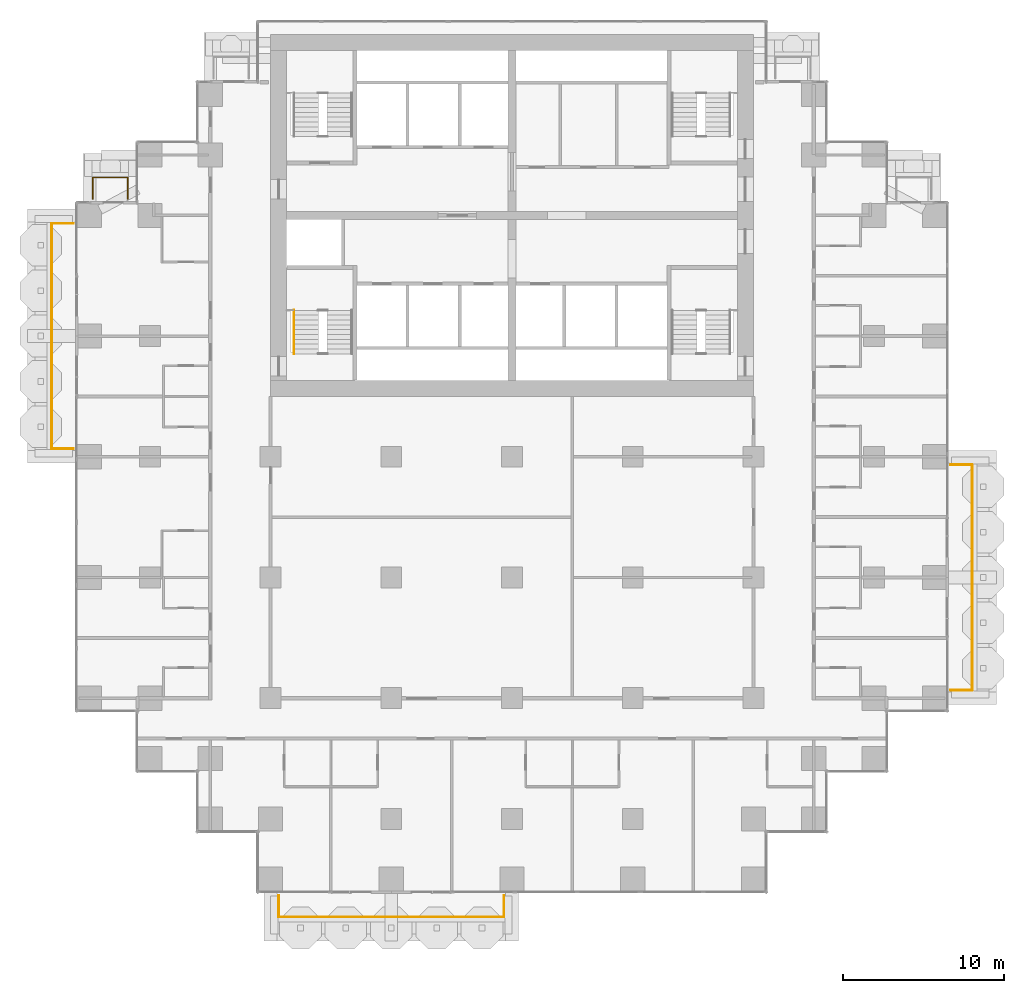
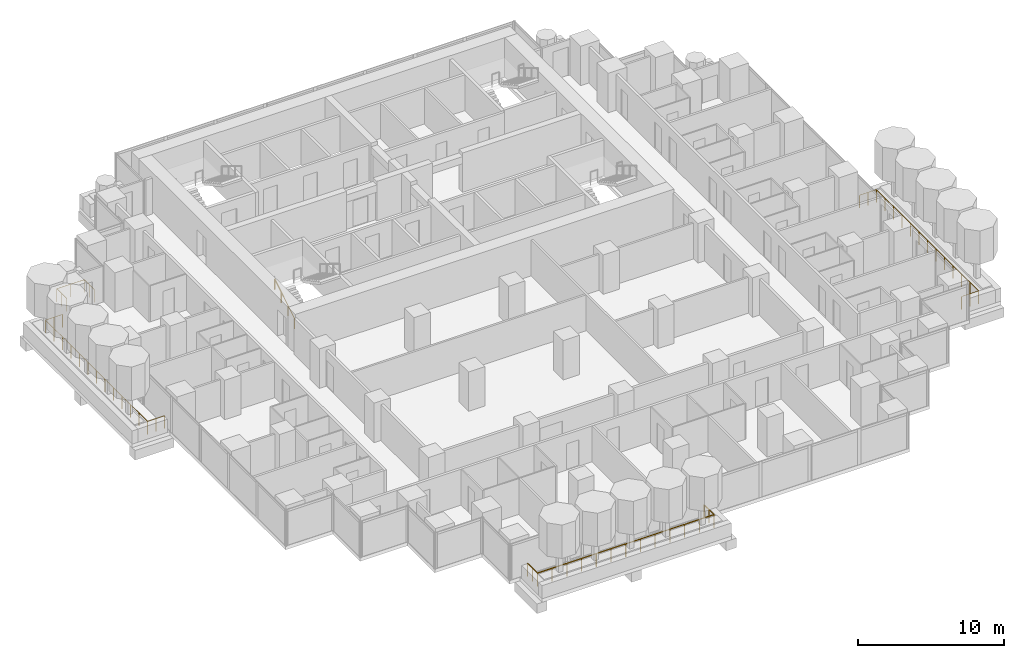
# One storey, part 16 of 18: 5 railings.
"""IFC4 building model written with IfcOpenShell, lengths in metres."""

from ifc_helpers import new_model, si_unit, direction, frame, origin, origin_2d, place, context, subcontext, project, spatial, circle, extrude, material, type_object, element, save


model = new_model("IFC4")

# Units and contexts
model_context = context("Model", 3, precision=1e-05, world=origin(), true_north=direction((0.0, 1.0)))
body_context = subcontext(model_context, "Body", "Model", "MODEL_VIEW")
ifc_project = project(units=[si_unit("LENGTHUNIT", "METRE"), si_unit("AREAUNIT", "SQUARE_METRE"), si_unit("VOLUMEUNIT", "CUBIC_METRE"), si_unit("PLANEANGLEUNIT", "RADIAN"), si_unit("MASSUNIT", "GRAM", prefix="KILO")], contexts=[model_context])

# Site, building, storey
site_placement = place(None, origin())
site = spatial("IfcSite", under=ifc_project, at=site_placement, CompositionType="ELEMENT")
building_placement = place(site_placement, origin())
building = spatial("IfcBuilding", under=site, at=building_placement, Name="Pilkhan Gate Tower", CompositionType="ELEMENT")
storey_placement = place(building_placement, frame((0.0, 0.0, 82.39990234375)))
storey = spatial("IfcBuildingStorey", under=building, at=storey_placement, Name="L19", CompositionType="ELEMENT", Elevation=82.39990234375)

# Railings
ifc_material_1 = material(Name="Pale anodised aluminium posts, laminated glass infill", Category="aluminium")
railing_type_1 = type_object("IfcRailingType", Name="Balcony guard G1", PredefinedType="BALUSTRADE", material=ifc_material_1)
railing_1_placement = place(storey_placement, frame((60.5, 40.25, 0.0)))
element("IfcRailing", 1, at=railing_1_placement, inside=storey, type_object=railing_type_1, Name="Balcony guard L19 S", PredefinedType="BALUSTRADE", context=body_context, shape_type="SweptSolid", body=[
    extrude(circle(Radius=0.02392578125, at=origin_2d()), frame((0.0, 0.0, 1.076171875), z_axis=(0.0, -1.0, 0.0), x_axis=(1.0, 0.0, 0.0)), (0.0, 0.0, 1.0), 1.35009765625),
    extrude(circle(Radius=0.02392578125, at=origin_2d()), frame((0.0, -1.35009765625, 1.076171875), z_axis=(1.0, 0.0, 0.0), x_axis=(0.0, 1.0, 0.0)), (0.0, 0.0, 1.0), 14.0),
    extrude(circle(Radius=0.02392578125, at=origin_2d()), frame((14.0, -1.35009765625, 1.076171875), z_axis=(0.0, 1.0, 0.0), x_axis=(-1.0, 0.0, 0.0)), (0.0, 0.0, 1.0), 1.35009765625),
    extrude(circle(Radius=0.02099609375, at=origin_2d()), origin(), (0.0, 0.0, 1.0), 1.052001953125),
    extrude(circle(Radius=0.02099609375, at=origin_2d()), frame((0.0, -0.675048828125, 0.0)), (0.0, 0.0, 1.0), 1.052001953125),
    extrude(circle(Radius=0.02099609375, at=origin_2d()), frame((0.0, -1.35009765625, 0.0)), (0.0, 0.0, 1.0), 1.052001953125),
    extrude(circle(Radius=0.02099609375, at=origin_2d()), frame((1.166748046875, -1.35009765625, 0.0)), (0.0, 0.0, 1.0), 1.052001953125),
    extrude(circle(Radius=0.02099609375, at=origin_2d()), frame((2.333251953125, -1.35009765625, 0.0)), (0.0, 0.0, 1.0), 1.052001953125),
    extrude(circle(Radius=0.02099609375, at=origin_2d()), frame((3.5, -1.35009765625, 0.0)), (0.0, 0.0, 1.0), 1.052001953125),
    extrude(circle(Radius=0.02099609375, at=origin_2d()), frame((4.666748046875, -1.35009765625, 0.0)), (0.0, 0.0, 1.0), 1.052001953125),
    extrude(circle(Radius=0.02099609375, at=origin_2d()), frame((5.833251953125, -1.35009765625, 0.0)), (0.0, 0.0, 1.0), 1.052001953125),
    extrude(circle(Radius=0.02099609375, at=origin_2d()), frame((7.0, -1.35009765625, 0.0)), (0.0, 0.0, 1.0), 1.052001953125),
    extrude(circle(Radius=0.02099609375, at=origin_2d()), frame((8.166748046875, -1.35009765625, 0.0)), (0.0, 0.0, 1.0), 1.052001953125),
    extrude(circle(Radius=0.02099609375, at=origin_2d()), frame((9.333251953125, -1.35009765625, 0.0)), (0.0, 0.0, 1.0), 1.052001953125),
    extrude(circle(Radius=0.02099609375, at=origin_2d()), frame((10.5, -1.35009765625, 0.0)), (0.0, 0.0, 1.0), 1.052001953125),
    extrude(circle(Radius=0.02099609375, at=origin_2d()), frame((11.666748046875, -1.35009765625, 0.0)), (0.0, 0.0, 1.0), 1.052001953125),
    extrude(circle(Radius=0.02099609375, at=origin_2d()), frame((12.833251953125, -1.35009765625, 0.0)), (0.0, 0.0, 1.0), 1.052001953125),
    extrude(circle(Radius=0.02099609375, at=origin_2d()), frame((14.0, -1.35009765625, 0.0)), (0.0, 0.0, 1.0), 1.052001953125),
    extrude(circle(Radius=0.02099609375, at=origin_2d()), frame((14.0, -0.675048828125, 0.0)), (0.0, 0.0, 1.0), 1.052001953125),
    extrude(circle(Radius=0.02099609375, at=origin_2d()), frame((14.0, 0.0, 0.0)), (0.0, 0.0, 1.0), 1.052001953125),
])
railing_2_placement = place(storey_placement, frame((102.25, 53.0, 0.0)))
element("IfcRailing", 2, at=railing_2_placement, inside=storey, type_object=railing_type_1, Name="Balcony guard L19 E", PredefinedType="BALUSTRADE", context=body_context, shape_type="SweptSolid", body=[
    extrude(circle(Radius=0.02392578125, at=origin_2d()), frame((0.0, 0.0, 1.076171875), z_axis=(1.0, 0.0, 0.0), x_axis=(0.0, 1.0, 0.0)), (0.0, 0.0, 1.0), 1.35009765625),
    extrude(circle(Radius=0.02392578125, at=origin_2d()), frame((1.35009765625, 0.0, 1.076171875), z_axis=(0.0, 1.0, 0.0), x_axis=(-1.0, 0.0, 0.0)), (0.0, 0.0, 1.0), 14.0),
    extrude(circle(Radius=0.02392578125, at=origin_2d()), frame((1.35009765625, 14.0, 1.076171875), z_axis=(-1.0, 0.0, 0.0), x_axis=(0.0, -1.0, 0.0)), (0.0, 0.0, 1.0), 1.35009765625),
    extrude(circle(Radius=0.02099609375, at=origin_2d()), origin(), (0.0, 0.0, 1.0), 1.052001953125),
    extrude(circle(Radius=0.02099609375, at=origin_2d()), frame((0.675048828125, 0.0, 0.0)), (0.0, 0.0, 1.0), 1.052001953125),
    extrude(circle(Radius=0.02099609375, at=origin_2d()), frame((1.35009765625, 0.0, 0.0)), (0.0, 0.0, 1.0), 1.052001953125),
    extrude(circle(Radius=0.02099609375, at=origin_2d()), frame((1.35009765625, 1.166748046875, 0.0)), (0.0, 0.0, 1.0), 1.052001953125),
    extrude(circle(Radius=0.02099609375, at=origin_2d()), frame((1.35009765625, 2.333251953125, 0.0)), (0.0, 0.0, 1.0), 1.052001953125),
    extrude(circle(Radius=0.02099609375, at=origin_2d()), frame((1.35009765625, 3.5, 0.0)), (0.0, 0.0, 1.0), 1.052001953125),
    extrude(circle(Radius=0.02099609375, at=origin_2d()), frame((1.35009765625, 4.666748046875, 0.0)), (0.0, 0.0, 1.0), 1.052001953125),
    extrude(circle(Radius=0.02099609375, at=origin_2d()), frame((1.35009765625, 5.833251953125, 0.0)), (0.0, 0.0, 1.0), 1.052001953125),
    extrude(circle(Radius=0.02099609375, at=origin_2d()), frame((1.35009765625, 7.0, 0.0)), (0.0, 0.0, 1.0), 1.052001953125),
    extrude(circle(Radius=0.02099609375, at=origin_2d()), frame((1.35009765625, 8.166748046875, 0.0)), (0.0, 0.0, 1.0), 1.052001953125),
    extrude(circle(Radius=0.02099609375, at=origin_2d()), frame((1.35009765625, 9.333251953125, 0.0)), (0.0, 0.0, 1.0), 1.052001953125),
    extrude(circle(Radius=0.02099609375, at=origin_2d()), frame((1.35009765625, 10.5, 0.0)), (0.0, 0.0, 1.0), 1.052001953125),
    extrude(circle(Radius=0.02099609375, at=origin_2d()), frame((1.35009765625, 11.666748046875, 0.0)), (0.0, 0.0, 1.0), 1.052001953125),
    extrude(circle(Radius=0.02099609375, at=origin_2d()), frame((1.35009765625, 12.833251953125, 0.0)), (0.0, 0.0, 1.0), 1.052001953125),
    extrude(circle(Radius=0.02099609375, at=origin_2d()), frame((1.35009765625, 14.0, 0.0)), (0.0, 0.0, 1.0), 1.052001953125),
    extrude(circle(Radius=0.02099609375, at=origin_2d()), frame((0.675048828125, 14.0, 0.0)), (0.0, 0.0, 1.0), 1.052001953125),
    extrude(circle(Radius=0.02099609375, at=origin_2d()), frame((0.0, 14.0, 0.0)), (0.0, 0.0, 1.0), 1.052001953125),
])
railing_3_placement = place(storey_placement, frame((48.949951171875, 83.52001953125, 0.0)))
element("IfcRailing", 3, at=railing_3_placement, inside=storey, type_object=railing_type_1, Name="Balcony guard L19 N", PredefinedType="BALUSTRADE", context=body_context, shape_type="SweptSolid", body=[
    extrude(circle(Radius=0.02392578125, at=origin_2d()), frame((0.0, 0.0, 1.076171875), z_axis=(0.0, 1.0, 0.0), x_axis=(-1.0, 0.0, 0.0)), (0.0, 0.0, 1.0), 1.330078125),
    extrude(circle(Radius=0.02392578125, at=origin_2d()), frame((0.0, 1.330078125, 1.076171875), z_axis=(1.0, 0.0, 0.0), x_axis=(0.0, 1.0, 0.0)), (0.0, 0.0, 1.0), 2.179931640625),
    extrude(circle(Radius=0.02392578125, at=origin_2d()), frame((2.179931640625, 1.330078125, 1.076171875), z_axis=(0.0, -1.0, 0.0), x_axis=(1.0, 0.0, 0.0)), (0.0, 0.0, 1.0), 1.330078125),
    extrude(circle(Radius=0.02099609375, at=origin_2d()), origin(), (0.0, 0.0, 1.0), 1.052001953125),
    extrude(circle(Radius=0.02099609375, at=origin_2d()), frame((0.0, 0.6650390625, 0.0)), (0.0, 0.0, 1.0), 1.052001953125),
    extrude(circle(Radius=0.02099609375, at=origin_2d()), frame((0.0, 1.330078125, 0.0)), (0.0, 0.0, 1.0), 1.052001953125),
    extrude(circle(Radius=0.02099609375, at=origin_2d()), frame((1.08984375, 1.330078125, 0.0)), (0.0, 0.0, 1.0), 1.052001953125),
    extrude(circle(Radius=0.02099609375, at=origin_2d()), frame((2.179931640625, 1.330078125, 0.0)), (0.0, 0.0, 1.0), 1.052001953125),
    extrude(circle(Radius=0.02099609375, at=origin_2d()), frame((2.179931640625, 0.6650390625, 0.0)), (0.0, 0.0, 1.0), 1.052001953125),
    extrude(circle(Radius=0.02099609375, at=origin_2d()), frame((2.179931640625, 0.0, 0.0)), (0.0, 0.0, 1.0), 1.052001953125),
])
railing_4_placement = place(storey_placement, frame((47.75, 68.0, 0.0)))
element("IfcRailing", 4, at=railing_4_placement, inside=storey, type_object=railing_type_1, Name="Balcony guard L19 W", PredefinedType="BALUSTRADE", context=body_context, shape_type="SweptSolid", body=[
    extrude(circle(Radius=0.02392578125, at=origin_2d()), frame((0.0, 0.0, 1.076171875), z_axis=(-1.0, 0.0, 0.0), x_axis=(0.0, -1.0, 0.0)), (0.0, 0.0, 1.0), 1.35009765625),
    extrude(circle(Radius=0.02392578125, at=origin_2d()), frame((-1.35009765625, 0.0, 1.076171875), z_axis=(0.0, 1.0, 0.0), x_axis=(-1.0, 0.0, 0.0)), (0.0, 0.0, 1.0), 14.0),
    extrude(circle(Radius=0.02392578125, at=origin_2d()), frame((-1.35009765625, 14.0, 1.076171875), z_axis=(1.0, 0.0, 0.0), x_axis=(0.0, 1.0, 0.0)), (0.0, 0.0, 1.0), 1.35009765625),
    extrude(circle(Radius=0.02099609375, at=origin_2d()), origin(), (0.0, 0.0, 1.0), 1.052001953125),
    extrude(circle(Radius=0.02099609375, at=origin_2d()), frame((-0.675048828125, 0.0, 0.0)), (0.0, 0.0, 1.0), 1.052001953125),
    extrude(circle(Radius=0.02099609375, at=origin_2d()), frame((-1.35009765625, 0.0, 0.0)), (0.0, 0.0, 1.0), 1.052001953125),
    extrude(circle(Radius=0.02099609375, at=origin_2d()), frame((-1.35009765625, 1.166748046875, 0.0)), (0.0, 0.0, 1.0), 1.052001953125),
    extrude(circle(Radius=0.02099609375, at=origin_2d()), frame((-1.35009765625, 2.333251953125, 0.0)), (0.0, 0.0, 1.0), 1.052001953125),
    extrude(circle(Radius=0.02099609375, at=origin_2d()), frame((-1.35009765625, 3.5, 0.0)), (0.0, 0.0, 1.0), 1.052001953125),
    extrude(circle(Radius=0.02099609375, at=origin_2d()), frame((-1.35009765625, 4.666748046875, 0.0)), (0.0, 0.0, 1.0), 1.052001953125),
    extrude(circle(Radius=0.02099609375, at=origin_2d()), frame((-1.35009765625, 5.833251953125, 0.0)), (0.0, 0.0, 1.0), 1.052001953125),
    extrude(circle(Radius=0.02099609375, at=origin_2d()), frame((-1.35009765625, 7.0, 0.0)), (0.0, 0.0, 1.0), 1.052001953125),
    extrude(circle(Radius=0.02099609375, at=origin_2d()), frame((-1.35009765625, 8.166748046875, 0.0)), (0.0, 0.0, 1.0), 1.052001953125),
    extrude(circle(Radius=0.02099609375, at=origin_2d()), frame((-1.35009765625, 9.333251953125, 0.0)), (0.0, 0.0, 1.0), 1.052001953125),
    extrude(circle(Radius=0.02099609375, at=origin_2d()), frame((-1.35009765625, 10.5, 0.0)), (0.0, 0.0, 1.0), 1.052001953125),
    extrude(circle(Radius=0.02099609375, at=origin_2d()), frame((-1.35009765625, 11.666748046875, 0.0)), (0.0, 0.0, 1.0), 1.052001953125),
    extrude(circle(Radius=0.02099609375, at=origin_2d()), frame((-1.35009765625, 12.833251953125, 0.0)), (0.0, 0.0, 1.0), 1.052001953125),
    extrude(circle(Radius=0.02099609375, at=origin_2d()), frame((-1.35009765625, 14.0, 0.0)), (0.0, 0.0, 1.0), 1.052001953125),
    extrude(circle(Radius=0.02099609375, at=origin_2d()), frame((-0.675048828125, 14.0, 0.0)), (0.0, 0.0, 1.0), 1.052001953125),
    extrude(circle(Radius=0.02099609375, at=origin_2d()), frame((0.0, 14.0, 0.0)), (0.0, 0.0, 1.0), 1.052001953125),
])
ifc_material_2 = material(Name="Black powder-coated steel tube", Category="steel")
railing_type_2 = type_object("IfcRailingType", Name="Stair handrail HR1", PredefinedType="HANDRAIL", material=ifc_material_2)
railing_5_placement = place(storey_placement, frame((61.449951171875, 73.89990234375, 0.0)))
element("IfcRailing", 5, at=railing_5_placement, inside=storey, type_object=railing_type_2, Name="Stair ST2 handrail L19", PredefinedType="HANDRAIL", context=body_context, shape_type="SweptSolid", body=[
    extrude(circle(Radius=0.02392578125, at=origin_2d()), frame((0.0, 0.0, 0.8759765625), z_axis=(0.0, 0.853278019476, 0.521456250781), x_axis=(-1.0, 0.0, 0.0)), (0.0, 0.0, 1.0), 3.16455078125),
    extrude(circle(Radius=0.02099609375, at=origin_2d()), origin(), (0.0, 0.0, 1.0), 0.851806640625),
    extrude(circle(Radius=0.02099609375, at=origin_2d()), frame((0.0, 0.900146484375, 0.550048828125)), (0.0, 0.0, 1.0), 0.851806640625),
    extrude(circle(Radius=0.02099609375, at=origin_2d()), frame((0.0, 1.800048828125, 1.10009765625)), (0.0, 0.0, 1.0), 0.851806640625),
    extrude(circle(Radius=0.02099609375, at=origin_2d()), frame((0.0, 2.7001953125, 1.650146484375)), (0.0, 0.0, 1.0), 0.851806640625),
])

save(model, "model.ifc")
